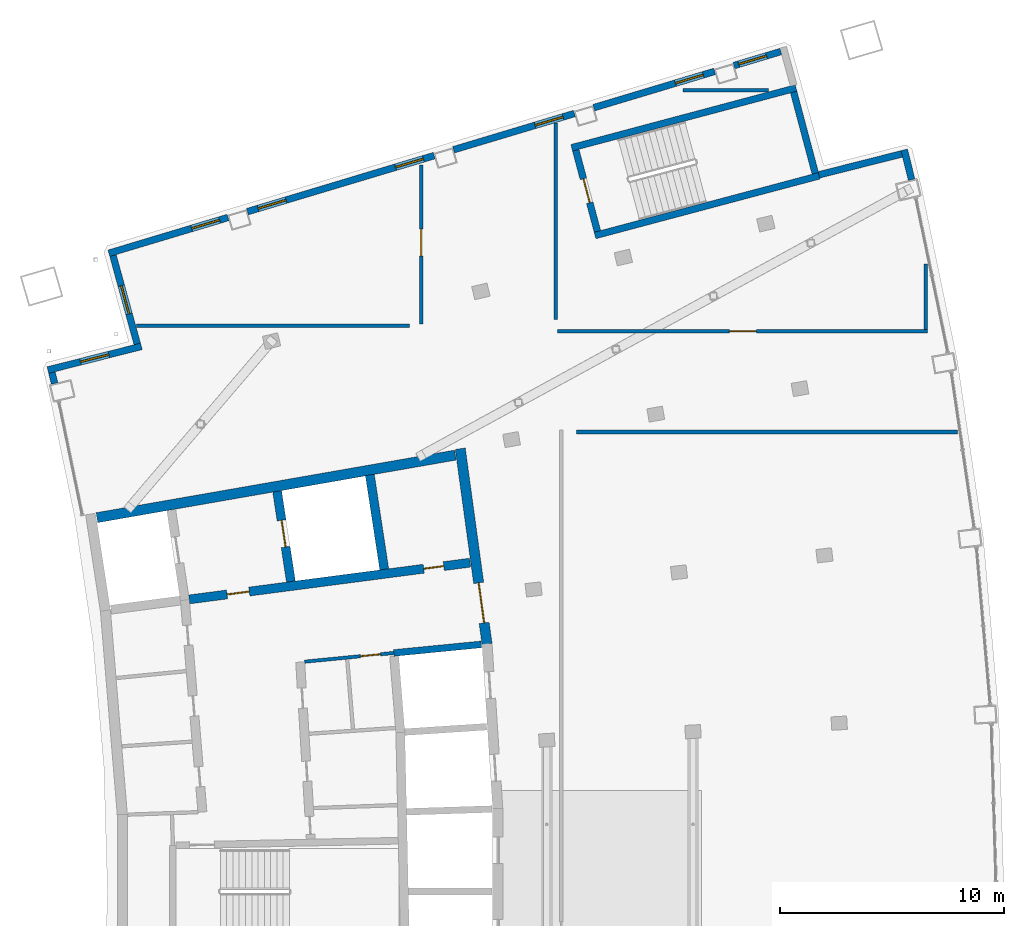
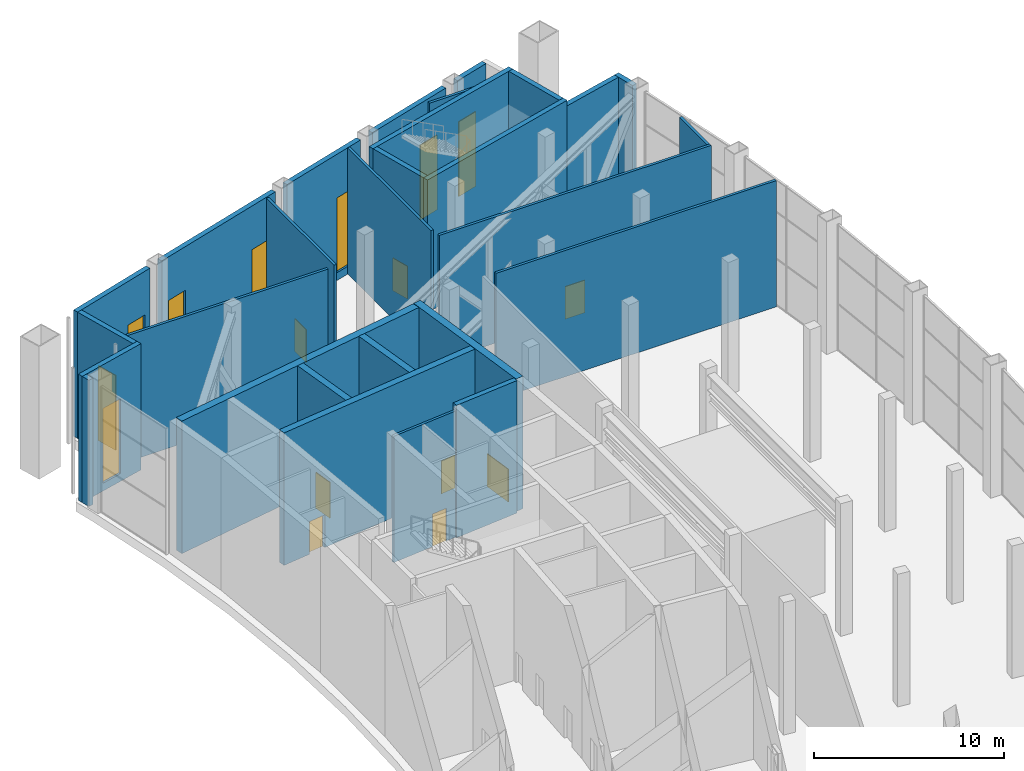
# One storey, part 20 of 25: 28 walls, 8 doors, 8 windows, 16 openings.
"""IFC4 building model written with IfcOpenShell, lengths in metres."""

from ifc_helpers import new_model, si_unit, direction, frame, frame_2d, origin, place, context, subcontext, project, spatial, rectangle, extrude, material, layer, layer_set, type_object, element, fill, save


model = new_model("IFC4")

# Units and contexts
model_context = context("Model", 3, precision=1e-05, world=origin(), true_north=direction((0.0, 1.0)))
body_context = subcontext(model_context, "Body", "Model", "MODEL_VIEW")
ifc_project = project(units=[si_unit("LENGTHUNIT", "METRE"), si_unit("AREAUNIT", "SQUARE_METRE"), si_unit("VOLUMEUNIT", "CUBIC_METRE"), si_unit("PLANEANGLEUNIT", "RADIAN"), si_unit("MASSUNIT", "GRAM", prefix="KILO")], contexts=[model_context])

# Site, building, storey
site_placement = place(None, origin())
site = spatial("IfcSite", under=ifc_project, at=site_placement, CompositionType="ELEMENT")
building_placement = place(site_placement, origin())
building = spatial("IfcBuilding", under=site, at=building_placement, Name="Alderwake Tower", CompositionType="ELEMENT")
storey_placement = place(building_placement, frame((0.0, 0.0, 296.0)))
storey = spatial("IfcBuildingStorey", under=building, at=storey_placement, Name="L73", CompositionType="ELEMENT", Elevation=296.0)

# Wall, opening, door
ifc_material_1 = material(Name="Gypsum shaft wall system, rated")
ifc_layer_1 = layer(ifc_material_1, 0.14990234375)
ifc_layer_set_1 = layer_set([ifc_layer_1], Name="Core room partition 150")
wall_type_1 = type_object("IfcWallType", Name="Core room partition 150", PredefinedType="PARTITIONING", material=ifc_layer_set_1)
wall_1_placement = place(storey_placement, frame((28.780517578125, 71.644287109375, 0.0), z_axis=(0.0, 0.0, 1.0), x_axis=(-0.995250000627, -0.097352125046, 0.0)))
wall_1 = element("IfcWall", 1, at=wall_1_placement, inside=storey, type_object=wall_type_1, Name="CW/L73/PR+102_+86", PredefinedType="PARTITIONING", context=body_context, shape_type="SweptSolid", body=[
    extrude(rectangle(XDim=4.0, YDim=0.14990234375, at=frame_2d((2.0, 0.0))), origin(), (0.0, 0.0, 1.0), 8.10009765625),
])
opening_1_placement = place(wall_1_placement, frame((0.60009765625, 0.0, 0.0)))
opening_1 = element("IfcOpeningElement", 2, at=opening_1_placement, cuts=wall_1, Name="Opening C022", PredefinedType="OPENING", context=body_context, shape_type="SweptSolid", body=[
    extrude(rectangle(XDim=0.89990234375, YDim=2.10009765625, at=frame_2d((0.449951171875, 1.050048828125))), frame((0.0, 0.0849609375, 0.0), z_axis=(0.0, -1.0, 0.0), x_axis=(1.0, 0.0, 0.0)), (0.0, 0.0, 1.0), 0.169921875),
])
ifc_material_2 = material(Name="Painted steel leaf", Category="steel")
door_type_1 = type_object("IfcDoorType", Name="Core room door 900", OperationType="SINGLE_SWING_LEFT", PredefinedType="DOOR", material=ifc_material_2)
door_1_placement = place(opening_1_placement, origin())
door_1 = element("IfcDoor", 3, at=door_1_placement, inside=storey, type_object=door_type_1, Name="Room door", OperationType="SINGLE_SWING_RIGHT", OverallHeight=2.10009765625, OverallWidth=0.89990234375, PredefinedType="DOOR", context=body_context, shape_type="SweptSolid", body=[
    extrude(rectangle(XDim=0.89990234375, YDim=2.10009765625, at=frame_2d((0.449951171875, 1.050048828125))), frame((0.0, 0.02490234375, 0.0), z_axis=(0.0, -1.0, 0.0), x_axis=(1.0, 0.0, 0.0)), (0.0, 0.0, 1.0), 0.050048828125),
])
fill(opening_1, door_1)

ifc_material_3 = material(Name="Concrete C70/85", Category="concrete")
ifc_layer_2 = layer(ifc_material_3, 0.449951171875)
ifc_layer_set_2 = layer_set([ifc_layer_2], Name="Core wall outer 450 C70-85")
wall_type_2 = type_object("IfcWallType", Name="Core wall outer 450 C70-85", PredefinedType="SHEAR", material=ifc_layer_set_2)
wall_2_placement = place(storey_placement, frame((31.74169921875, 80.7568359375, 0.0), z_axis=(0.0, 0.0, 1.0), x_axis=(0.135866240661, -0.99072718982, 0.0)))
wall_2 = element("IfcWall", 4, at=wall_2_placement, inside=storey, type_object=wall_type_2, Name="Core wall CW.019", PredefinedType="SHEAR", context=body_context, shape_type="SweptSolid", body=[
    extrude(rectangle(XDim=8.7958984375, YDim=0.449951171875, at=frame_2d((4.39794921875, 0.0))), origin(), (0.0, 0.0, 1.0), 8.5),
])
opening_2_placement = place(wall_2_placement, frame((6.043701171875, 0.0, 0.0)))
opening_2 = element("IfcOpeningElement", 5, at=opening_2_placement, cuts=wall_2, Name="Opening C001", PredefinedType="OPENING", context=body_context, shape_type="SweptSolid", body=[
    extrude(rectangle(XDim=1.800048828125, YDim=2.10009765625, at=frame_2d((0.89990234375, 1.050048828125))), frame((0.0, 0.23486328125, 0.0), z_axis=(0.0, -1.0, 0.0), x_axis=(1.0, 0.0, 0.0)), (0.0, 0.0, 1.0), 0.469970703125),
])
ifc_material_4 = material(Name="Steel-framed fire door leaves", Category="steel")
door_type_2 = type_object("IfcDoorType", Name="Core double door 1800 fire-rated", OperationType="DOUBLE_DOOR_SINGLE_SWING", PredefinedType="DOOR", material=ifc_material_4)
door_2_placement = place(opening_2_placement, origin())
door_2 = element("IfcDoor", 6, at=door_2_placement, inside=storey, type_object=door_type_2, Name="Lobby double door", OperationType="DOUBLE_DOOR_SINGLE_SWING", OverallHeight=2.10009765625, OverallWidth=1.800048828125, PredefinedType="DOOR", context=body_context, shape_type="SweptSolid", body=[
    extrude(rectangle(XDim=1.800048828125, YDim=2.10009765625, at=frame_2d((0.89990234375, 1.050048828125))), frame((0.0, 0.02490234375, 0.0), z_axis=(0.0, -1.0, 0.0), x_axis=(1.0, 0.0, 0.0)), (0.0, 0.0, 1.0), 0.050048828125),
])
fill(opening_2, door_2)

# Walls
wall_3_placement = place(storey_placement, frame((15.530517578125, 77.6787109375, 0.0), z_axis=(0.0, 0.0, 1.0), x_axis=(0.985099076065, 0.171987820311, 0.0)))
element("IfcWall", 7, at=wall_3_placement, inside=storey, type_object=wall_type_2, Name="Core wall CW.056", PredefinedType="SHEAR", context=body_context, shape_type="SweptSolid", body=[
    extrude(rectangle(XDim=16.235107421875, YDim=0.449951171875, at=frame_2d((8.11767578125, 0.0))), origin(), (0.0, 0.0, 1.0), 8.5),
])
ifc_material_5 = material(Name="Concrete C70/85", Category="concrete")
ifc_layer_3 = layer(ifc_material_5, 0.300048828125)
ifc_layer_set_3 = layer_set([ifc_layer_3], Name="Core wall shaft 300 C70-85")
wall_type_3 = type_object("IfcWallType", Name="Core wall shaft 300 C70-85", PredefinedType="SHEAR", material=ifc_layer_set_3)
wall_4_placement = place(storey_placement, frame((28.780517578125, 71.644287109375, 0.0), z_axis=(0.0, 0.0, 1.0), x_axis=(0.995244048052, 0.097412960207, 0.0)))
element("IfcWall", 8, at=wall_4_placement, inside=storey, type_object=wall_type_3, Name="Core wall CW.049", PredefinedType="SHEAR", context=body_context, shape_type="SweptSolid", body=[
    extrude(rectangle(XDim=3.919677734375, YDim=0.300048828125, at=frame_2d((1.9599609375, 0.0))), origin(), (0.0, 0.0, 1.0), 8.5),
])

# Wall, opening, door
ifc_material_6 = material(Name="Concrete C70/85", Category="concrete")
ifc_layer_4 = layer(ifc_material_6, 0.39990234375)
ifc_layer_set_4 = layer_set([ifc_layer_4], Name="Core wall spine 400 C70-85")
wall_type_4 = type_object("IfcWallType", Name="Core wall spine 400 C70-85", PredefinedType="SHEAR", material=ifc_layer_set_4)
wall_5_placement = place(storey_placement, frame((24.186279296875, 74.82861328125, 0.0), z_axis=(0.0, 0.0, 1.0), x_axis=(-0.150737431454, 0.988573834753, 0.0)))
wall_5 = element("IfcWall", 9, at=wall_5_placement, inside=storey, type_object=wall_type_4, Name="Core wall CW.044", PredefinedType="SHEAR", context=body_context, shape_type="SweptSolid", body=[
    extrude(rectangle(XDim=4.073486328125, YDim=0.39990234375, at=frame_2d((2.03662109375, 0.0))), origin(), (0.0, 0.0, 1.0), 8.5),
])
opening_3_placement = place(wall_5_placement, frame((1.561767578125, 0.0, 0.0)))
opening_3 = element("IfcOpeningElement", 10, at=opening_3_placement, cuts=wall_5, Name="Opening LD-FF2", PredefinedType="OPENING", context=body_context, shape_type="SweptSolid", body=[
    extrude(rectangle(XDim=1.199951171875, YDim=2.300048828125, at=frame_2d((0.60009765625, 1.14990234375))), frame((0.0, 0.2099609375, 0.0), z_axis=(0.0, -1.0, 0.0), x_axis=(1.0, 0.0, 0.0)), (0.0, 0.0, 1.0), 0.419921875),
])
ifc_material_7 = material(Name="Stainless steel sliding leaf", Category="steel")
door_type_3 = type_object("IfcDoorType", Name="Lift landing door 1200", OperationType="SLIDING_TO_LEFT", PredefinedType="DOOR", material=ifc_material_7)
door_3_placement = place(opening_3_placement, origin())
door_3 = element("IfcDoor", 11, at=door_3_placement, inside=storey, type_object=door_type_3, Name="Lift landing door FF2", OperationType="SLIDING_TO_LEFT", OverallHeight=2.300048828125, OverallWidth=1.199951171875, PredefinedType="DOOR", context=body_context, shape_type="SweptSolid", body=[
    extrude(rectangle(XDim=1.199951171875, YDim=2.300048828125, at=frame_2d((0.60009765625, 1.14990234375))), frame((0.0, 0.02490234375, 0.0), z_axis=(0.0, -1.0, 0.0), x_axis=(1.0, 0.0, 0.0)), (0.0, 0.0, 1.0), 0.050048828125),
])
fill(opening_3, door_3)

# Wall
wall_6_placement = place(storey_placement, frame((28.350830078125, 75.373291015625, 0.0), z_axis=(0.0, 0.0, 1.0), x_axis=(-0.150821709432, 0.988560980397, 0.0)))
element("IfcWall", 12, at=wall_6_placement, inside=storey, type_object=wall_type_4, Name="Core wall CW.001", PredefinedType="SHEAR", context=body_context, shape_type="SweptSolid", body=[
    extrude(rectangle(XDim=4.26220703125, YDim=0.39990234375, at=frame_2d((2.131103515625, 0.0))), origin(), (0.0, 0.0, 1.0), 8.5),
])

# Wall, openings, doors
wall_7_placement = place(storey_placement, frame((32.181640625, 75.672607421875, 0.0), z_axis=(0.0, 0.0, 1.0), x_axis=(-0.991554022973, -0.129694331123, 0.0)))
wall_7 = element("IfcWall", 13, at=wall_7_placement, inside=storey, type_object=wall_type_4, Name="Core wall CW.052", PredefinedType="SHEAR", context=body_context, shape_type="SweptSolid", body=[
    extrude(rectangle(XDim=12.63671875, YDim=0.39990234375, at=frame_2d((6.318359375, 0.0))), origin(), (0.0, 0.0, 1.0), 8.5),
])
opening_4_placement = place(wall_7_placement, frame((9.93701171875, 0.0, 0.0)))
opening_4 = element("IfcOpeningElement", 14, at=opening_4_placement, cuts=wall_7, Name="Opening C002", PredefinedType="OPENING", context=body_context, shape_type="SweptSolid", body=[
    extrude(rectangle(XDim=1.0, YDim=2.10009765625, at=frame_2d((0.5, 1.050048828125))), frame((0.0, 0.2099609375, 0.0), z_axis=(0.0, -1.0, 0.0), x_axis=(1.0, 0.0, 0.0)), (0.0, 0.0, 1.0), 0.419921875),
])
opening_5_placement = place(wall_7_placement, frame((1.18701171875, 0.0, 0.0)))
opening_5 = element("IfcOpeningElement", 15, at=opening_5_placement, cuts=wall_7, Name="Opening C020", PredefinedType="OPENING", context=body_context, shape_type="SweptSolid", body=[
    extrude(rectangle(XDim=0.89990234375, YDim=2.10009765625, at=frame_2d((0.449951171875, 1.050048828125))), frame((0.0, 0.2099609375, 0.0), z_axis=(0.0, -1.0, 0.0), x_axis=(1.0, 0.0, 0.0)), (0.0, 0.0, 1.0), 0.419921875),
])
door_4_placement = place(opening_5_placement, origin())
door_4 = element("IfcDoor", 16, at=door_4_placement, inside=storey, type_object=door_type_1, Name="Room door", OperationType="SINGLE_SWING_LEFT", OverallHeight=2.10009765625, OverallWidth=0.89990234375, PredefinedType="DOOR", context=body_context, shape_type="SweptSolid", body=[
    extrude(rectangle(XDim=0.89990234375, YDim=2.10009765625, at=frame_2d((0.449951171875, 1.050048828125))), frame((0.0, 0.02490234375, 0.0), z_axis=(0.0, -1.0, 0.0), x_axis=(1.0, 0.0, 0.0)), (0.0, 0.0, 1.0), 0.050048828125),
])
fill(opening_5, door_4)
ifc_material_8 = material(Name="Steel-framed fire door leaf", Category="steel")
door_type_4 = type_object("IfcDoorType", Name="Firefighting lobby door 1000 fire-rated", OperationType="SINGLE_SWING_LEFT", PredefinedType="DOOR", material=ifc_material_8)
door_5_placement = place(opening_4_placement, origin())
door_5 = element("IfcDoor", 17, at=door_5_placement, inside=storey, type_object=door_type_4, Name="Firefighting lobby door", OperationType="SINGLE_SWING_RIGHT", OverallHeight=2.10009765625, OverallWidth=1.0, PredefinedType="DOOR", context=body_context, shape_type="SweptSolid", body=[
    extrude(rectangle(XDim=1.0, YDim=2.10009765625, at=frame_2d((0.5, 1.050048828125))), frame((0.0, 0.02490234375, 0.0), z_axis=(0.0, -1.0, 0.0), x_axis=(1.0, 0.0, 0.0)), (0.0, 0.0, 1.0), 0.050048828125),
])
fill(opening_4, door_5)

# Walls
ifc_material_9 = material(Name="Concrete C70/85", Category="concrete")
ifc_layer_5 = layer(ifc_material_9, 0.300048828125)
ifc_layer_set_5 = layer_set([ifc_layer_5], Name="Core wall stair enclosure 300 C70-85")
wall_type_5 = type_object("IfcWallType", Name="Core wall stair enclosure 300 C70-85", PredefinedType="SHEAR", material=ifc_layer_set_5)
for number, where, z_axis, x_axis, name in (
    (18, (36.71142578125, 94.182373046875, 0.0), (0.0, 0.0, 1.0), (0.966309214305, 0.257383958996, 0.0), "Core wall CW.082"),
    (19, (37.75390625, 90.268798828125, 0.0), (0.0, 0.0, 1.0), (0.966309214305, 0.257383958996, 0.0), "Core wall CW.084"),
):
    element("IfcWall", number, at=place(storey_placement, frame(where, z_axis=z_axis, x_axis=x_axis)), inside=storey, type_object=wall_type_5, Name=name, PredefinedType="SHEAR", context=body_context, shape_type="SweptSolid", body=[
        extrude(rectangle(XDim=10.360107421875, YDim=0.300048828125, at=frame_2d((5.18017578125, 0.0))), origin(), (0.0, 0.0, 1.0), 8.5),
    ])

# Wall, opening, door
wall_8_placement = place(storey_placement, frame((37.8603515625, 90.452392578125, 0.0), z_axis=(0.0, 0.0, 1.0), x_axis=(-0.257411420208, 0.966301899381, 0.0)))
wall_8 = element("IfcWall", 20, at=wall_8_placement, inside=storey, type_object=wall_type_5, Name="Core wall CW.083", PredefinedType="SHEAR", context=body_context, shape_type="SweptSolid", body=[
    extrude(rectangle(XDim=3.750244140625, YDim=0.300048828125, at=frame_2d((1.875, 0.0))), origin(), (0.0, 0.0, 1.0), 8.5),
])
opening_6_placement = place(wall_8_placement, frame((1.324951171875, 0.0, 0.0)))
opening_6 = element("IfcOpeningElement", 21, at=opening_6_placement, cuts=wall_8, Name="Opening C062", PredefinedType="OPENING", context=body_context, shape_type="SweptSolid", body=[
    extrude(rectangle(XDim=1.10009765625, YDim=2.10009765625, at=frame_2d((0.550048828125, 1.050048828125))), frame((0.0, 0.159912109375, 0.0), z_axis=(0.0, -1.0, 0.0), x_axis=(1.0, 0.0, 0.0)), (0.0, 0.0, 1.0), 0.320068359375),
])
ifc_material_10 = material(Name="Steel-framed fire door leaf", Category="steel")
door_type_5 = type_object("IfcDoorType", Name="Core stair door 1100 fire-rated", OperationType="SINGLE_SWING_LEFT", PredefinedType="DOOR", material=ifc_material_10)
door_6_placement = place(opening_6_placement, origin())
door_6 = element("IfcDoor", 22, at=door_6_placement, inside=storey, type_object=door_type_5, Name="Stair door", OperationType="SINGLE_SWING_RIGHT", OverallHeight=2.10009765625, OverallWidth=1.10009765625, PredefinedType="DOOR", context=body_context, shape_type="SweptSolid", body=[
    extrude(rectangle(XDim=1.10009765625, YDim=2.10009765625, at=frame_2d((0.550048828125, 1.050048828125))), frame((0.0, 0.02490234375, 0.0), z_axis=(0.0, -1.0, 0.0), x_axis=(1.0, 0.0, 0.0)), (0.0, 0.0, 1.0), 0.050048828125),
])
fill(opening_6, door_6)

# Walls
wall_9_placement = place(storey_placement, frame((47.581298828125, 93.041748046875, 0.0), z_axis=(0.0, 0.0, 1.0), x_axis=(-0.257366821694, 0.966313778796, 0.0)))
element("IfcWall", 23, at=wall_9_placement, inside=storey, type_object=wall_type_5, Name="Core wall CW.081", PredefinedType="SHEAR", context=body_context, shape_type="SweptSolid", body=[
    extrude(rectangle(XDim=3.749755859375, YDim=0.300048828125, at=frame_2d((1.875, 0.0))), origin(), (0.0, 0.0, 1.0), 8.5),
])
ifc_material_11 = material(Name="Gypsum board on metal studs, rated")
ifc_layer_6 = layer(ifc_material_11, 0.159912109375)
ifc_layer_set_6 = layer_set([ifc_layer_6], Name="Corridor wall 160")
wall_type_6 = type_object("IfcWallType", Name="Corridor wall 160", PredefinedType="PARTITIONING", material=ifc_layer_set_6)
wall_10_placement = place(storey_placement, frame((29.47998046875, 86.25, 0.0), z_axis=(0.0, 0.0, 1.0), x_axis=(-1.0, 0.0, 0.0)))
element("IfcWall", 24, at=wall_10_placement, inside=storey, type_object=wall_type_6, Name="WL/L73/W05", PredefinedType="PARTITIONING", context=body_context, shape_type="SweptSolid", body=[
    extrude(rectangle(XDim=12.18603515625, YDim=0.159912109375, at=frame_2d((6.093017578125, 0.0))), origin(), (0.0, 0.0, 1.0), 8.10009765625),
])

# Wall, opening, door
wall_11_placement = place(storey_placement, frame((30.0, 93.42041015625, 0.0), z_axis=(0.0, 0.0, 1.0), x_axis=(0.0, -1.0, 0.0)))
wall_11 = element("IfcWall", 25, at=wall_11_placement, inside=storey, type_object=wall_type_6, Name="WL/L73/W06", PredefinedType="PARTITIONING", context=body_context, shape_type="SweptSolid", body=[
    extrude(rectangle(XDim=7.09033203125, YDim=0.159912109375, at=frame_2d((3.545166015625, 0.0))), origin(), (0.0, 0.0, 1.0), 8.10009765625),
])
opening_7_placement = place(wall_11_placement, frame((2.867431640625, 0.0, 0.0)))
opening_7 = element("IfcOpeningElement", 26, at=opening_7_placement, cuts=wall_11, Name="Opening L73-03", PredefinedType="OPENING", context=body_context, shape_type="SweptSolid", body=[
    extrude(rectangle(XDim=1.199951171875, YDim=2.10009765625, at=frame_2d((0.60009765625, 1.050048828125))), frame((0.0, 0.08984375, 0.0), z_axis=(0.0, -1.0, 0.0), x_axis=(1.0, 0.0, 0.0)), (0.0, 0.0, 1.0), 0.179931640625),
])
ifc_material_12 = material(Name="Steel door leaf in steel frame", Category="steel")
door_type_6 = type_object("IfcDoorType", Name="Plant room door 1200 steel", OperationType="SINGLE_SWING_LEFT", PredefinedType="DOOR", material=ifc_material_12)
door_7_placement = place(opening_7_placement, origin())
door_7 = element("IfcDoor", 27, at=door_7_placement, inside=storey, type_object=door_type_6, Name="DR/L73/03", OperationType="SINGLE_SWING_LEFT", OverallHeight=2.10009765625, OverallWidth=1.199951171875, PredefinedType="DOOR", context=body_context, shape_type="SweptSolid", body=[
    extrude(rectangle(XDim=1.199951171875, YDim=2.10009765625, at=frame_2d((0.60009765625, 1.050048828125))), frame((0.0, 0.02490234375, 0.0), z_axis=(0.0, -1.0, 0.0), x_axis=(1.0, 0.0, 0.0)), (0.0, 0.0, 1.0), 0.050048828125),
])
fill(opening_7, door_7)

# Walls
wall_12_placement = place(storey_placement, frame((36.0, 86.52099609375, 0.0), z_axis=(0.0, 0.0, 1.0), x_axis=(0.0, 1.0, 0.0)))
element("IfcWall", 28, at=wall_12_placement, inside=storey, type_object=wall_type_6, Name="WL/L73/W09", PredefinedType="PARTITIONING", context=body_context, shape_type="SweptSolid", body=[
    extrude(rectangle(XDim=8.762939453125, YDim=0.159912109375, at=frame_2d((4.38134765625, 0.0))), origin(), (0.0, 0.0, 1.0), 8.10009765625),
])
wall_13_placement = place(storey_placement, frame((36.928955078125, 81.5009765625, 0.0), z_axis=(0.0, 0.0, 1.0), x_axis=(1.0, 0.0, 0.0)))
element("IfcWall", 29, at=wall_13_placement, inside=storey, type_object=wall_type_6, Name="WL/L73/W12", PredefinedType="PARTITIONING", context=body_context, shape_type="SweptSolid", body=[
    extrude(rectangle(XDim=16.998046875, YDim=0.159912109375, at=frame_2d((8.4990234375, 0.0))), origin(), (0.0, 0.0, 1.0), 8.10009765625),
])
wall_14_placement = place(storey_placement, frame((41.681640625, 96.75, 0.0), z_axis=(0.0, 0.0, 1.0), x_axis=(1.0, 0.0, 0.0)))
element("IfcWall", 30, at=wall_14_placement, inside=storey, type_object=wall_type_6, Name="WL/L73/W15", PredefinedType="PARTITIONING", context=body_context, shape_type="SweptSolid", body=[
    extrude(rectangle(XDim=3.81640625, YDim=0.159912109375, at=frame_2d((1.908203125, 0.0))), origin(), (0.0, 0.0, 1.0), 8.10009765625),
])

# Wall, opening, door
wall_15_placement = place(storey_placement, frame((52.580078125, 86.0009765625, 0.0), z_axis=(0.0, 0.0, 1.0), x_axis=(-1.0, 0.0, 0.0)))
wall_15 = element("IfcWall", 31, at=wall_15_placement, inside=storey, type_object=wall_type_6, Name="WL/L73/W19", PredefinedType="PARTITIONING", context=body_context, shape_type="SweptSolid", body=[
    extrude(rectangle(XDim=16.5, YDim=0.159912109375, at=frame_2d((8.25, 0.0))), origin(), (0.0, 0.0, 1.0), 8.10009765625),
])
opening_8_placement = place(wall_15_placement, frame((7.6298828125, 0.0, 0.0)))
opening_8 = element("IfcOpeningElement", 32, at=opening_8_placement, cuts=wall_15, Name="Opening L73-04", PredefinedType="OPENING", context=body_context, shape_type="SweptSolid", body=[
    extrude(rectangle(XDim=1.199951171875, YDim=2.10009765625, at=frame_2d((0.60009765625, 1.050048828125))), frame((0.0, 0.08984375, 0.0), z_axis=(0.0, -1.0, 0.0), x_axis=(1.0, 0.0, 0.0)), (0.0, 0.0, 1.0), 0.179931640625),
])
door_8_placement = place(opening_8_placement, origin())
door_8 = element("IfcDoor", 33, at=door_8_placement, inside=storey, type_object=door_type_6, Name="DR/L73/04", OperationType="SINGLE_SWING_LEFT", OverallHeight=2.10009765625, OverallWidth=1.199951171875, PredefinedType="DOOR", context=body_context, shape_type="SweptSolid", body=[
    extrude(rectangle(XDim=1.199951171875, YDim=2.10009765625, at=frame_2d((0.60009765625, 1.050048828125))), frame((0.0, 0.02490234375, 0.0), z_axis=(0.0, -1.0, 0.0), x_axis=(1.0, 0.0, 0.0)), (0.0, 0.0, 1.0), 0.050048828125),
])
fill(opening_8, door_8)

# Walls
wall_16_placement = place(storey_placement, frame((52.5, 89.000244140625, 0.0), z_axis=(0.0, 0.0, 1.0), x_axis=(0.0, -1.0, 0.0)))
element("IfcWall", 34, at=wall_16_placement, inside=storey, type_object=wall_type_6, Name="WL/L73/W20", PredefinedType="PARTITIONING", context=body_context, shape_type="SweptSolid", body=[
    extrude(rectangle(XDim=2.919189453125, YDim=0.159912109375, at=frame_2d((1.45947265625, 0.0))), origin(), (0.0, 0.0, 1.0), 8.10009765625),
])
ifc_material_13 = material(Name="Bronze metal cladding on lightweight framing")
ifc_layer_7 = layer(ifc_material_13, 0.300048828125)
ifc_layer_set_7 = layer_set([ifc_layer_7], Name="External wall EW3 plant enclosure")
wall_type_7 = type_object("IfcWallType", Name="External wall EW3 plant enclosure", PredefinedType="SOLIDWALL", material=ifc_layer_set_7)
wall_17_placement = place(storey_placement, frame((51.87744140625, 92.759033203125, 0.0), z_axis=(0.0, 0.0, 1.0), x_axis=(-0.238306983732, 0.971189879223, 0.0)))
element("IfcWall", 35, at=wall_17_placement, inside=storey, type_object=wall_type_7, Name="External wall 12", PredefinedType="SOLIDWALL", context=body_context, shape_type="SweptSolid", body=[
    extrude(rectangle(XDim=1.372802734375, YDim=0.300048828125, at=frame_2d((0.6865234375, 0.0))), origin(), (0.0, 0.0, 1.0), 8.10009765625),
])
wall_18_placement = place(storey_placement, frame((51.440673828125, 93.909912109375, 0.0), z_axis=(0.0, 0.0, 1.0), x_axis=(-0.969419457145, -0.245409690332, 0.0)))
element("IfcWall", 36, at=wall_18_placement, inside=storey, type_object=wall_type_7, Name="External wall 13", PredefinedType="SOLIDWALL", context=body_context, shape_type="SweptSolid", body=[
    extrude(rectangle(XDim=3.816162109375, YDim=0.300048828125, at=frame_2d((1.908203125, 0.0))), origin(), (0.0, 0.0, 1.0), 8.10009765625),
])

# Wall, opening, window
wall_19_placement = place(storey_placement, frame((46.043701171875, 98.4765625, 0.0), z_axis=(0.0, 0.0, 1.0), x_axis=(-0.957743012987, -0.287625313689, 0.0)))
wall_19 = element("IfcWall", 37, at=wall_19_placement, inside=storey, type_object=wall_type_7, Name="External wall 15", PredefinedType="SOLIDWALL", context=body_context, shape_type="SweptSolid", body=[
    extrude(rectangle(XDim=2.1796875, YDim=0.300048828125, at=frame_2d((1.08984375, 0.0))), origin(), (0.0, 0.0, 1.0), 8.10009765625),
])
opening_9_placement = place(wall_19_placement, frame((0.665771484375, 0.0, 0.5)))
opening_9 = element("IfcOpeningElement", 38, at=opening_9_placement, cuts=wall_19, Name="Opening LV1", PredefinedType="OPENING", context=body_context, shape_type="SweptSolid", body=[
    extrude(rectangle(XDim=1.300048828125, YDim=4.800048828125, at=frame_2d((0.64990234375, 2.39990234375))), frame((0.0, 0.159912109375, 0.0), z_axis=(0.0, -1.0, 0.0), x_axis=(1.0, 0.0, 0.0)), (0.0, 0.0, 1.0), 0.320068359375),
])
ifc_material_14 = material(Name="Bronze anodised aluminium louvre", Category="aluminium")
window_type = type_object("IfcWindowType", Name="Louvre LV1 plant floor", PartitioningType="SINGLE_PANEL", PredefinedType="USERDEFINED", material=ifc_material_14)
window_1_placement = place(opening_9_placement, origin())
window_1 = element("IfcWindow", 39, at=window_1_placement, inside=storey, type_object=window_type, Name="Louvre LV1 plant floor", ObjectType="LOUVRE", OverallHeight=4.800048828125, OverallWidth=1.300048828125, PartitioningType="SINGLE_PANEL", PredefinedType="USERDEFINED", context=body_context, shape_type="SweptSolid", body=[
    extrude(rectangle(XDim=1.300048828125, YDim=4.800048828125, at=frame_2d((0.64990234375, 2.39990234375))), frame((0.0, 0.030029296875, 0.0), z_axis=(0.0, -1.0, 0.0), x_axis=(1.0, 0.0, 0.0)), (0.0, 0.0, 1.0), 0.06005859375),
])
fill(opening_9, window_1)

wall_20_placement = place(storey_placement, frame((43.0908203125, 97.590087890625, 0.0), z_axis=(0.0, 0.0, 1.0), x_axis=(-0.957755841517, -0.287582593423, 0.0)))
wall_20 = element("IfcWall", 40, at=wall_20_placement, inside=storey, type_object=wall_type_7, Name="External wall 16", PredefinedType="SOLIDWALL", context=body_context, shape_type="SweptSolid", body=[
    extrude(rectangle(XDim=5.630126953125, YDim=0.300048828125, at=frame_2d((2.81494140625, 0.0))), origin(), (0.0, 0.0, 1.0), 8.10009765625),
])
opening_10_placement = place(wall_20_placement, frame((0.53173828125, 0.0, 0.5)))
opening_10 = element("IfcOpeningElement", 41, at=opening_10_placement, cuts=wall_20, Name="Opening LV1", PredefinedType="OPENING", context=body_context, shape_type="SweptSolid", body=[
    extrude(rectangle(XDim=1.300048828125, YDim=4.800048828125, at=frame_2d((0.64990234375, 2.39990234375))), frame((0.0, 0.159912109375, 0.0), z_axis=(0.0, -1.0, 0.0), x_axis=(1.0, 0.0, 0.0)), (0.0, 0.0, 1.0), 0.320068359375),
])
window_2_placement = place(opening_10_placement, origin())
window_2 = element("IfcWindow", 42, at=window_2_placement, inside=storey, type_object=window_type, Name="Louvre LV1 plant floor", ObjectType="LOUVRE", OverallHeight=4.800048828125, OverallWidth=1.300048828125, PartitioningType="SINGLE_PANEL", PredefinedType="USERDEFINED", context=body_context, shape_type="SweptSolid", body=[
    extrude(rectangle(XDim=1.300048828125, YDim=4.800048828125, at=frame_2d((0.64990234375, 2.39990234375))), frame((0.0, 0.030029296875, 0.0), z_axis=(0.0, -1.0, 0.0), x_axis=(1.0, 0.0, 0.0)), (0.0, 0.0, 1.0), 0.06005859375),
])
fill(opening_10, window_2)

wall_21_placement = place(storey_placement, frame((36.833251953125, 95.711181640625, 0.0), z_axis=(0.0, 0.0, 1.0), x_axis=(-0.957764198898, -0.287554758802, 0.0)))
wall_21 = element("IfcWall", 43, at=wall_21_placement, inside=storey, type_object=wall_type_7, Name="External wall 17", PredefinedType="SOLIDWALL", context=body_context, shape_type="SweptSolid", body=[
    extrude(rectangle(XDim=5.6298828125, YDim=0.300048828125, at=frame_2d((2.81494140625, 0.0))), origin(), (0.0, 0.0, 1.0), 8.10009765625),
])
opening_11_placement = place(wall_21_placement, frame((0.531494140625, 0.0, 0.5)))
opening_11 = element("IfcOpeningElement", 44, at=opening_11_placement, cuts=wall_21, Name="Opening LV1", PredefinedType="OPENING", context=body_context, shape_type="SweptSolid", body=[
    extrude(rectangle(XDim=1.300048828125, YDim=4.800048828125, at=frame_2d((0.64990234375, 2.39990234375))), frame((0.0, 0.159912109375, 0.0), z_axis=(0.0, -1.0, 0.0), x_axis=(1.0, 0.0, 0.0)), (0.0, 0.0, 1.0), 0.320068359375),
])
window_3_placement = place(opening_11_placement, origin())
window_3 = element("IfcWindow", 45, at=window_3_placement, inside=storey, type_object=window_type, Name="Louvre LV1 plant floor", ObjectType="LOUVRE", OverallHeight=4.800048828125, OverallWidth=1.300048828125, PartitioningType="SINGLE_PANEL", PredefinedType="USERDEFINED", context=body_context, shape_type="SweptSolid", body=[
    extrude(rectangle(XDim=1.300048828125, YDim=4.800048828125, at=frame_2d((0.64990234375, 2.39990234375))), frame((0.0, 0.030029296875, 0.0), z_axis=(0.0, -1.0, 0.0), x_axis=(1.0, 0.0, 0.0)), (0.0, 0.0, 1.0), 0.06005859375),
])
fill(opening_11, window_3)

# Wall, openings, windows
wall_22_placement = place(storey_placement, frame((30.57568359375, 93.83251953125, 0.0), z_axis=(0.0, 0.0, 1.0), x_axis=(-0.957762902908, -0.287559075345, 0.0)))
wall_22 = element("IfcWall", 46, at=wall_22_placement, inside=storey, type_object=wall_type_7, Name="External wall 18", PredefinedType="SOLIDWALL", context=body_context, shape_type="SweptSolid", body=[
    extrude(rectangle(XDim=8.696533203125, YDim=0.300048828125, at=frame_2d((4.34814453125, 0.0))), origin(), (0.0, 0.0, 1.0), 8.10009765625),
])
opening_12_placement = place(wall_22_placement, frame((0.498291015625, 0.0, 0.5)))
opening_12 = element("IfcOpeningElement", 47, at=opening_12_placement, cuts=wall_22, Name="Opening LV1", PredefinedType="OPENING", context=body_context, shape_type="SweptSolid", body=[
    extrude(rectangle(XDim=1.300048828125, YDim=4.800048828125, at=frame_2d((0.64990234375, 2.39990234375))), frame((0.0, 0.159912109375, 0.0), z_axis=(0.0, -1.0, 0.0), x_axis=(1.0, 0.0, 0.0)), (0.0, 0.0, 1.0), 0.320068359375),
])
opening_13_placement = place(wall_22_placement, frame((6.898193359375, 0.0, 0.5)))
opening_13 = element("IfcOpeningElement", 48, at=opening_13_placement, cuts=wall_22, Name="Opening LV1", PredefinedType="OPENING", context=body_context, shape_type="SweptSolid", body=[
    extrude(rectangle(XDim=1.300048828125, YDim=4.800048828125, at=frame_2d((0.64990234375, 2.39990234375))), frame((0.0, 0.159912109375, 0.0), z_axis=(0.0, -1.0, 0.0), x_axis=(1.0, 0.0, 0.0)), (0.0, 0.0, 1.0), 0.320068359375),
])
window_4_placement = place(opening_12_placement, origin())
window_4 = element("IfcWindow", 49, at=window_4_placement, inside=storey, type_object=window_type, Name="Louvre LV1 plant floor", ObjectType="LOUVRE", OverallHeight=4.800048828125, OverallWidth=1.300048828125, PartitioningType="SINGLE_PANEL", PredefinedType="USERDEFINED", context=body_context, shape_type="SweptSolid", body=[
    extrude(rectangle(XDim=1.300048828125, YDim=4.800048828125, at=frame_2d((0.64990234375, 2.39990234375))), frame((0.0, 0.030029296875, 0.0), z_axis=(0.0, -1.0, 0.0), x_axis=(1.0, 0.0, 0.0)), (0.0, 0.0, 1.0), 0.06005859375),
])
fill(opening_12, window_4)
window_5_placement = place(opening_13_placement, origin())
window_5 = element("IfcWindow", 50, at=window_5_placement, inside=storey, type_object=window_type, Name="Louvre LV1 plant floor", ObjectType="LOUVRE", OverallHeight=4.800048828125, OverallWidth=1.300048828125, PartitioningType="SINGLE_PANEL", PredefinedType="USERDEFINED", context=body_context, shape_type="SweptSolid", body=[
    extrude(rectangle(XDim=1.300048828125, YDim=4.800048828125, at=frame_2d((0.64990234375, 2.39990234375))), frame((0.0, 0.030029296875, 0.0), z_axis=(0.0, -1.0, 0.0), x_axis=(1.0, 0.0, 0.0)), (0.0, 0.0, 1.0), 0.06005859375),
])
fill(opening_13, window_5)

# Wall, opening, window
wall_23_placement = place(storey_placement, frame((21.380859375, 91.072021484375, 0.0), z_axis=(0.0, 0.0, 1.0), x_axis=(-0.957769358194, -0.287537574074, 0.0)))
wall_23 = element("IfcWall", 51, at=wall_23_placement, inside=storey, type_object=wall_type_7, Name="External wall 19", PredefinedType="SOLIDWALL", context=body_context, shape_type="SweptSolid", body=[
    extrude(rectangle(XDim=5.549560546875, YDim=0.300048828125, at=frame_2d((2.77490234375, 0.0))), origin(), (0.0, 0.0, 1.0), 8.10009765625),
])
opening_14_placement = place(wall_23_placement, frame((0.3984375, 0.0, 0.5)))
opening_14 = element("IfcOpeningElement", 52, at=opening_14_placement, cuts=wall_23, Name="Opening LV1", PredefinedType="OPENING", context=body_context, shape_type="SweptSolid", body=[
    extrude(rectangle(XDim=1.300048828125, YDim=4.800048828125, at=frame_2d((0.64990234375, 2.39990234375))), frame((0.0, 0.159912109375, 0.0), z_axis=(0.0, -1.0, 0.0), x_axis=(1.0, 0.0, 0.0)), (0.0, 0.0, 1.0), 0.320068359375),
])
window_6_placement = place(opening_14_placement, origin())
window_6 = element("IfcWindow", 53, at=window_6_placement, inside=storey, type_object=window_type, Name="Louvre LV1 plant floor", ObjectType="LOUVRE", OverallHeight=4.800048828125, OverallWidth=1.300048828125, PartitioningType="SINGLE_PANEL", PredefinedType="USERDEFINED", context=body_context, shape_type="SweptSolid", body=[
    extrude(rectangle(XDim=1.300048828125, YDim=4.800048828125, at=frame_2d((0.64990234375, 2.39990234375))), frame((0.0, 0.030029296875, 0.0), z_axis=(0.0, -1.0, 0.0), x_axis=(1.0, 0.0, 0.0)), (0.0, 0.0, 1.0), 0.06005859375),
])
fill(opening_14, window_6)

wall_24_placement = place(storey_placement, frame((16.248779296875, 89.374755859375, 0.0), z_axis=(0.0, 0.0, 1.0), x_axis=(0.264607053468, -0.964356317579, 0.0)))
wall_24 = element("IfcWall", 54, at=wall_24_placement, inside=storey, type_object=wall_type_7, Name="External wall 20", PredefinedType="SOLIDWALL", context=body_context, shape_type="SweptSolid", body=[
    extrude(rectangle(XDim=4.090087890625, YDim=0.300048828125, at=frame_2d((2.044921875, 0.0))), origin(), (0.0, 0.0, 1.0), 8.10009765625),
])
opening_15_placement = place(wall_24_placement, frame((1.39501953125, 0.0, 0.5)))
opening_15 = element("IfcOpeningElement", 55, at=opening_15_placement, cuts=wall_24, Name="Opening LV1", PredefinedType="OPENING", context=body_context, shape_type="SweptSolid", body=[
    extrude(rectangle(XDim=1.300048828125, YDim=4.800048828125, at=frame_2d((0.64990234375, 2.39990234375))), frame((0.0, 0.159912109375, 0.0), z_axis=(0.0, -1.0, 0.0), x_axis=(1.0, 0.0, 0.0)), (0.0, 0.0, 1.0), 0.320068359375),
])
window_7_placement = place(opening_15_placement, origin())
window_7 = element("IfcWindow", 56, at=window_7_placement, inside=storey, type_object=window_type, Name="Louvre LV1 plant floor", ObjectType="LOUVRE", OverallHeight=4.800048828125, OverallWidth=1.300048828125, PartitioningType="SINGLE_PANEL", PredefinedType="USERDEFINED", context=body_context, shape_type="SweptSolid", body=[
    extrude(rectangle(XDim=1.300048828125, YDim=4.800048828125, at=frame_2d((0.64990234375, 2.39990234375))), frame((0.0, 0.030029296875, 0.0), z_axis=(0.0, -1.0, 0.0), x_axis=(1.0, 0.0, 0.0)), (0.0, 0.0, 1.0), 0.06005859375),
])
fill(opening_15, window_7)

wall_25_placement = place(storey_placement, frame((17.51611328125, 85.32275390625, 0.0), z_axis=(0.0, 0.0, 1.0), x_axis=(-0.969417740682, -0.245416470617, 0.0)))
wall_25 = element("IfcWall", 57, at=wall_25_placement, inside=storey, type_object=wall_type_7, Name="External wall 21", PredefinedType="SOLIDWALL", context=body_context, shape_type="SweptSolid", body=[
    extrude(rectangle(XDim=4.305419921875, YDim=0.300048828125, at=frame_2d((2.15283203125, 0.0))), origin(), (0.0, 0.0, 1.0), 8.10009765625),
])
opening_16_placement = place(wall_25_placement, frame((1.502685546875, 0.0, 0.5)))
opening_16 = element("IfcOpeningElement", 58, at=opening_16_placement, cuts=wall_25, Name="Opening LV1", PredefinedType="OPENING", context=body_context, shape_type="SweptSolid", body=[
    extrude(rectangle(XDim=1.300048828125, YDim=4.800048828125, at=frame_2d((0.64990234375, 2.39990234375))), frame((0.0, 0.159912109375, 0.0), z_axis=(0.0, -1.0, 0.0), x_axis=(1.0, 0.0, 0.0)), (0.0, 0.0, 1.0), 0.320068359375),
])
window_8_placement = place(opening_16_placement, origin())
window_8 = element("IfcWindow", 59, at=window_8_placement, inside=storey, type_object=window_type, Name="Louvre LV1 plant floor", ObjectType="LOUVRE", OverallHeight=4.800048828125, OverallWidth=1.300048828125, PartitioningType="SINGLE_PANEL", PredefinedType="USERDEFINED", context=body_context, shape_type="SweptSolid", body=[
    extrude(rectangle(XDim=1.300048828125, YDim=4.800048828125, at=frame_2d((0.64990234375, 2.39990234375))), frame((0.0, 0.030029296875, 0.0), z_axis=(0.0, -1.0, 0.0), x_axis=(1.0, 0.0, 0.0)), (0.0, 0.0, 1.0), 0.06005859375),
])
fill(opening_16, window_8)

# Wall
wall_26_placement = place(storey_placement, frame((13.523193359375, 84.1572265625, 0.0), z_axis=(0.0, 0.0, 1.0), x_axis=(0.238653145818, -0.971104873838, 0.0)))
element("IfcWall", 60, at=wall_26_placement, inside=storey, type_object=wall_type_7, Name="External wall 22", PredefinedType="SOLIDWALL", context=body_context, shape_type="SweptSolid", body=[
    extrude(rectangle(XDim=0.50341796875, YDim=0.300048828125, at=frame_2d((0.251708984375, 0.0))), origin(), (0.0, 0.0, 1.0), 8.10009765625),
])

save(model, "model.ifc")
